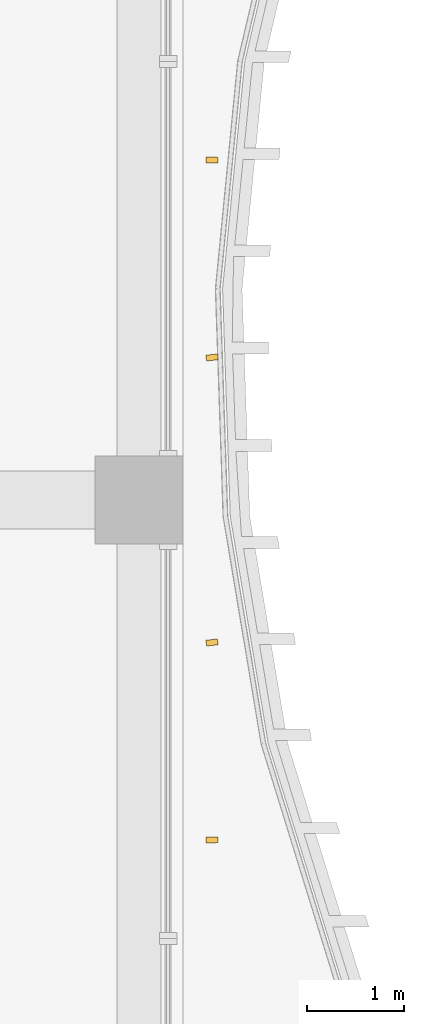
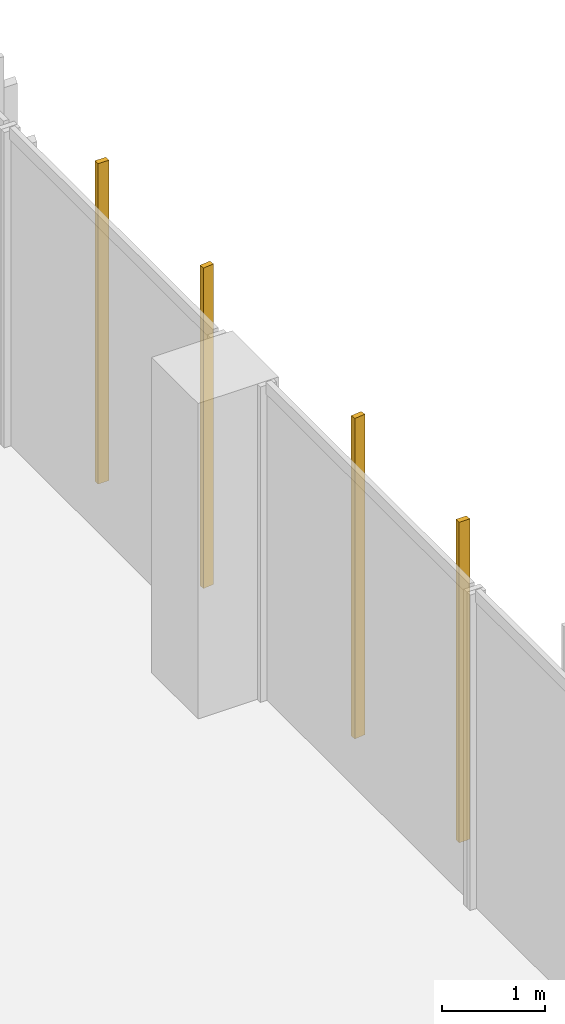
# One storey, part 23 of 25: 4 shading devices.
"""IFC4 building model written with IfcOpenShell, lengths in metres."""

from ifc_helpers import new_model, si_unit, direction, frame, origin, origin_2d, place, context, subcontext, project, spatial, rectangle, extrude, source, transform, mapped, material, material_profile, profile_set, type_object, element, save


model = new_model("IFC4")

# Units and contexts
model_context = context("Model", 3, precision=1e-05, world=origin(), true_north=direction((0.0, 1.0)))
body_context = subcontext(model_context, "Body", "Model", "MODEL_VIEW")
ifc_project = project(units=[si_unit("LENGTHUNIT", "METRE"), si_unit("AREAUNIT", "SQUARE_METRE"), si_unit("VOLUMEUNIT", "CUBIC_METRE"), si_unit("PLANEANGLEUNIT", "RADIAN"), si_unit("MASSUNIT", "GRAM", prefix="KILO")], contexts=[model_context])

# Site, building, storey
site_placement = place(None, origin())
site = spatial("IfcSite", under=ifc_project, at=site_placement, CompositionType="ELEMENT")
building_placement = place(site_placement, origin())
building = spatial("IfcBuilding", under=site, at=building_placement, Name="Kilnfold Tower and Market Hall", CompositionType="ELEMENT")
storey_placement = place(building_placement, frame((0.0, 0.0, 39.0)))
storey = spatial("IfcBuildingStorey", under=building, at=storey_placement, Name="L08", CompositionType="ELEMENT", Elevation=39.0)

# Shading devices
ifc_material = material(Name="Terracotta", Category="masonry")
ifc_material_profile = material_profile(ifc_material, rectangle(XDim=0.06005859375, YDim=0.1201171875, at=origin_2d()), Name="BAG 60x120")
ifc_profile_set = profile_set([ifc_material_profile], Name="Terracotta")
shading_device_type = type_object("IfcShadingDeviceType", Name="BAGUETTE", PredefinedType="USERDEFINED", material=ifc_profile_set)
shared_shape = source(origin(), body_context, "Body", "SweptSolid", [
    extrude(rectangle(XDim=0.06005859375, YDim=0.1201171875, at=origin_2d()), origin(), (0.0, 0.0, 1.0), 3.780029296875),
])
for number, where, z_axis, x_axis, name in (
    (1, (28.300048828125, -4.487548828125, 0.0), (0.0, 0.0, 1.0), (-0.011407224583, 0.999934935497, 0.0), "Terracotta baguette L08 E"),
    (2, (28.300048828125, -2.46240234375, 0.0), (0.0, 0.0, 1.0), (-0.116512995338, 0.993189167237, 0.0), "Terracotta baguette L08 E"),
    (3, (28.300048828125, 0.46240234375, 0.0), (0.0, 0.0, 1.0), (-0.103622349035, 0.994616714509, 0.0), "Terracotta baguette L08 E"),
    (4, (28.300048828125, 2.487548828125, 0.0), (0.0, 0.0, 1.0), (0.009845243256, 0.999951534418, 0.0), "Terracotta baguette L08 E"),
):
    element("IfcShadingDevice", number, at=place(storey_placement, frame(where, z_axis=z_axis, x_axis=x_axis)), inside=storey, type_object=shading_device_type, Name=name, ObjectType="BAGUETTE", PredefinedType="USERDEFINED", context=body_context, shape_type="MappedRepresentation", body=[
        mapped(shared_shape, transform((0.0, 0.0, 0.0))),
    ])

save(model, "model.ifc")
